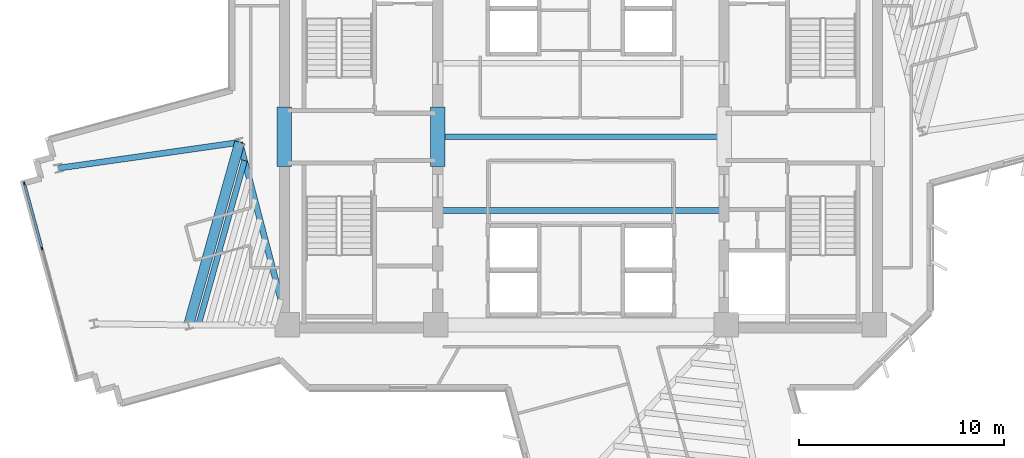
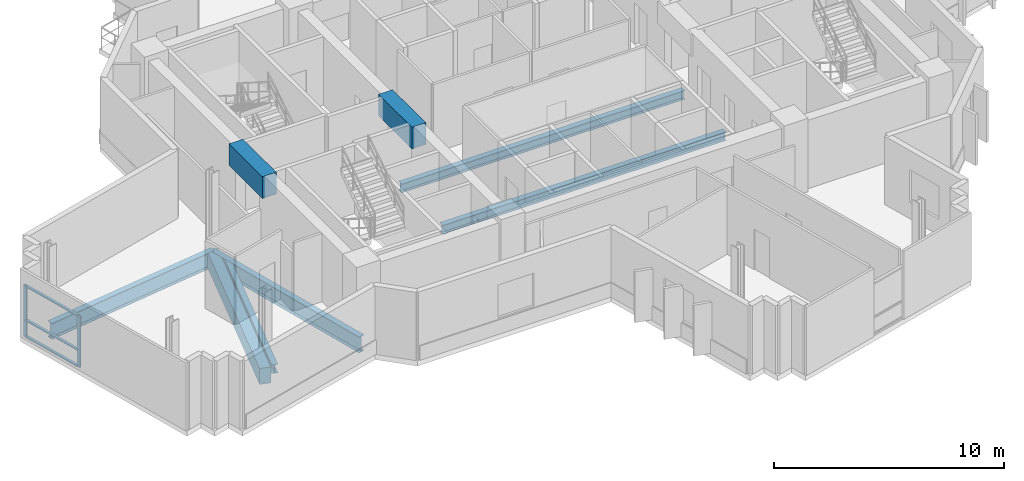
# One storey, part 4 of 15: 8 beams, 5 members, 1 element without a shape of its own.
"""IFC4 building model written with IfcOpenShell, lengths in metres."""

from ifc_helpers import new_model, si_unit, direction, frame, origin, origin_2d, place, context, subcontext, project, spatial, rectangle, i_section, extrude, source, transform, mapped, material, layer, layer_set, material_profile, profile_set, type_object, element, aggregate, save


model = new_model("IFC4")

# Units and contexts
model_context = context("Model", 3, precision=1e-05, world=origin(), true_north=direction((0.0, 1.0)))
body_context = subcontext(model_context, "Body", "Model", "MODEL_VIEW")
ifc_project = project(units=[si_unit("LENGTHUNIT", "METRE"), si_unit("AREAUNIT", "SQUARE_METRE"), si_unit("VOLUMEUNIT", "CUBIC_METRE"), si_unit("PLANEANGLEUNIT", "RADIAN"), si_unit("MASSUNIT", "GRAM", prefix="KILO")], contexts=[model_context])

# Site, building, storey
site_placement = place(None, origin())
site = spatial("IfcSite", under=ifc_project, at=site_placement, CompositionType="ELEMENT")
building_placement = place(site_placement, origin())
building = spatial("IfcBuilding", under=site, at=building_placement, Name="Zahravan Cultural Tower", CompositionType="ELEMENT")
storey_placement = place(building_placement, frame((0.0, 0.0, 198.0)))
storey = spatial("IfcBuildingStorey", under=building, at=storey_placement, Name="L46", CompositionType="ELEMENT", Elevation=198.0)

# Beams
ifc_material_1 = material(Name="Concrete C50/60", Category="concrete")
ifc_material_profile_1 = material_profile(ifc_material_1, rectangle(XDim=0.699951171875, YDim=1.14990234375, at=origin_2d()), Name="RC700X1150")
ifc_profile_set_1 = profile_set([ifc_material_profile_1], Name="Concrete C50/60")
beam_type_1 = type_object("IfcBeamType", Name="BM-LN-RC700X1150", PredefinedType="LINTEL", material=ifc_profile_set_1)
shared_shape_1 = source(origin(), body_context, "Body", "SweptSolid", [
    extrude(rectangle(XDim=0.699951171875, YDim=1.14990234375, at=origin_2d()), origin(), (0.0, 0.0, 1.0), 2.89990234375),
])
for number, where, z_axis, x_axis, name in (
    (1, (21.5, 25.550048828125, 3.044921875), (0.0, 1.0, 0.0), (-1.0, 0.0, 0.0), "L46 Beam LN-L46-PWW"),
    (2, (29.0, 25.550048828125, 3.044921875), (0.0, 1.0, 0.0), (-1.0, 0.0, 0.0), "L46 Beam LN-L46-PWE"),
):
    element("IfcBeam", number, at=place(storey_placement, frame(where, z_axis=z_axis, x_axis=x_axis)), inside=storey, type_object=beam_type_1, Name=name, PredefinedType="LINTEL", context=body_context, shape_type="MappedRepresentation", body=[
        mapped(shared_shape_1, transform((0.0, 0.0, 0.0), x_axis=(1.0, 0.0, 0.0), y_axis=(0.0, 1.0, 0.0), z_axis=(0.0, 0.0, 1.0), scale=1.0)),
    ])
ifc_material_profile_2 = material_profile(ifc_material_1, rectangle(XDim=0.5, YDim=0.85009765625, at=origin_2d()), Name="RC500X850")
ifc_profile_set_2 = profile_set([ifc_material_profile_2], Name="Concrete C50/60")
beam_type_2 = type_object("IfcBeamType", Name="BM-SP-RC500X850", PredefinedType="SPANDREL", material=ifc_profile_set_2)
shared_shape_2 = source(origin(), body_context, "Body", "SweptSolid", [
    extrude(rectangle(XDim=0.5, YDim=0.85009765625, at=origin_2d()), origin(), (0.0, 0.0, 1.0), 9.2783203125),
])
beam_1_placement = place(storey_placement, frame((19.315673828125, 26.72900390625, -0.705078125), z_axis=(-0.269497187032, -0.963001176625, 0.0), x_axis=(0.963001176625, -0.269497187032, 0.0)))
element("IfcBeam", 3, at=beam_1_placement, inside=storey, type_object=beam_type_2, Name="L46 Beam SP-L46-19", PredefinedType="SPANDREL", context=body_context, shape_type="MappedRepresentation", body=[
    mapped(shared_shape_2, transform((0.0, 0.0, 0.0), x_axis=(1.0, 0.0, 0.0), y_axis=(0.0, 1.0, 0.0), z_axis=(0.0, 0.0, 1.0), scale=1.0)),
])
ifc_material_2 = material(Name="Steel ASTM A992 Grade 50", Category="steel")
ifc_material_profile_3 = material_profile(ifc_material_2, i_section(OverallWidth=0.29296875, OverallDepth=0.845947265625, WebThickness=0.015380859375, FlangeThickness=0.0244140625, FilletRadius=0.02001953125, at=origin_2d()), Name="W33X141")
ifc_profile_set_3 = profile_set([ifc_material_profile_3], Name="Steel ASTM A992 Grade 50")
beam_type_3 = type_object("IfcBeamType", Name="BM-G-W33X141", PredefinedType="BEAM", material=ifc_profile_set_3)
shared_shape_3 = source(origin(), body_context, "Body", "SweptSolid", [
    extrude(i_section(OverallWidth=0.29296875, OverallDepth=0.845947265625, WebThickness=0.015380859375, FlangeThickness=0.0244140625, FilletRadius=0.02001953125, at=origin_2d()), origin(), (0.0, 0.0, 1.0), 9.22900390625),
])
beam_2_placement = place(storey_placement, frame((21.64990234375, 17.800048828125, -0.702880859375), z_axis=(-0.252922608408, 0.967486513682, 0.0), x_axis=(-0.967486513682, -0.252922608408, 0.0)))
element("IfcBeam", 4, at=beam_2_placement, inside=storey, type_object=beam_type_3, Name="L46 Beam BG-L46-07", PredefinedType="BEAM", context=body_context, shape_type="MappedRepresentation", body=[
    mapped(shared_shape_3, transform((0.0, 0.0, 0.0), x_axis=(1.0, 0.0, 0.0), y_axis=(0.0, 1.0, 0.0), z_axis=(0.0, 0.0, 1.0), scale=1.0)),
])
shared_shape_4 = source(origin(), body_context, "Body", "SweptSolid", [
    extrude(i_section(OverallWidth=0.29296875, OverallDepth=0.845947265625, WebThickness=0.015380859375, FlangeThickness=0.0244140625, FilletRadius=0.02001953125, at=origin_2d()), origin(), (0.0, 0.0, 1.0), 8.9580078125),
])
beam_3_placement = place(storey_placement, frame((19.315673828125, 26.72900390625, -0.702880859375), z_axis=(-0.990000122431, -0.141066500584, 0.0), x_axis=(0.141066500584, -0.990000122431, 0.0)))
element("IfcBeam", 5, at=beam_3_placement, inside=storey, type_object=beam_type_3, Name="L46 Beam BG-L46-17", PredefinedType="BEAM", context=body_context, shape_type="MappedRepresentation", body=[
    mapped(shared_shape_4, transform((0.0, 0.0, 0.0), x_axis=(1.0, 0.0, 0.0), y_axis=(0.0, 1.0, 0.0), z_axis=(0.0, 0.0, 1.0), scale=1.0)),
])
ifc_material_profile_4 = material_profile(ifc_material_2, i_section(OverallWidth=0.280029296875, OverallDepth=0.462890625, WebThickness=0.0107421875, FlangeThickness=0.017333984375, FilletRadius=0.012939453125, at=origin_2d()), Name="W18X76")
ifc_profile_set_4 = profile_set([ifc_material_profile_4], Name="Steel ASTM A992 Grade 50")
beam_type_4 = type_object("IfcBeamType", Name="BM-J-W18X76", PredefinedType="JOIST", material=ifc_profile_set_4)
shared_shape_5 = source(origin(), body_context, "Body", "SweptSolid", [
    extrude(i_section(OverallWidth=0.280029296875, OverallDepth=0.462890625, WebThickness=0.0107421875, FlangeThickness=0.017333984375, FilletRadius=0.012939453125, at=origin_2d()), origin(), (0.0, 0.0, 1.0), 14.2001953125),
])
for number, where, z_axis, x_axis, name in (
    (6, (28.89990234375, 23.39990234375, -0.511474609375), (1.0, 0.0, 0.0), (0.0, 1.0, 0.0), "L46 Beam BJ-L46-23"),
    (7, (28.89990234375, 27.0, -0.511474609375), (1.0, 0.0, 0.0), (0.0, 1.0, 0.0), "L46 Beam BJ-L46-24"),
):
    element("IfcBeam", number, at=place(storey_placement, frame(where, z_axis=z_axis, x_axis=x_axis)), inside=storey, type_object=beam_type_4, Name=name, PredefinedType="JOIST", context=body_context, shape_type="MappedRepresentation", body=[
        mapped(shared_shape_5, transform((0.0, 0.0, 0.0), x_axis=(1.0, 0.0, 0.0), y_axis=(0.0, 1.0, 0.0), z_axis=(0.0, 0.0, 1.0), scale=1.0)),
    ])
shared_shape_6 = source(origin(), body_context, "Body", "SweptSolid", [
    extrude(i_section(OverallWidth=0.280029296875, OverallDepth=0.462890625, WebThickness=0.0107421875, FlangeThickness=0.017333984375, FilletRadius=0.012939453125, at=origin_2d()), origin(), (0.0, 0.0, 1.0), 8.350830078125),
])
beam_4_placement = place(storey_placement, frame((19.549072265625, 25.836181640625, -0.511474609375), z_axis=(-0.269496539555, -0.963001357822, 0.0), x_axis=(0.963001357822, -0.269496539555, 0.0)))
element("IfcBeam", 8, at=beam_4_placement, inside=storey, type_object=beam_type_4, Name="L46 Beam BJ-L46-33", PredefinedType="JOIST", context=body_context, shape_type="MappedRepresentation", body=[
    mapped(shared_shape_6, transform((0.0, 0.0, 0.0), x_axis=(1.0, 0.0, 0.0), y_axis=(0.0, 1.0, 0.0), z_axis=(0.0, 0.0, 1.0), scale=1.0)),
])

# Curtain wall, members
ifc_material_3 = material(Name="Anodised bronze-aluminium mullion", Category="aluminium")
ifc_layer = layer(ifc_material_3, 0.1650390625)
ifc_layer_set = layer_set([ifc_layer], Name="Anodised bronze-aluminium mullion")
curtain_wall_type = type_object("IfcCurtainWallType", Name="CW-SYS-4", PredefinedType="USERDEFINED", material=ifc_layer_set)
curtain_wall_placement = place(storey_placement, origin())
curtain_wall = element("IfcCurtainWall", 9, at=curtain_wall_placement, inside=storey, type_object=curtain_wall_type, Name="L46 Recessed Curtain Wall CW-4.2", ObjectType="RECESSED GLAZING", PredefinedType="USERDEFINED")
ifc_material_profile_5 = material_profile(ifc_material_3, rectangle(XDim=0.06494140625, YDim=0.1650390625, at=origin_2d()), Name="AL-M65X165")
ifc_profile_set_5 = profile_set([ifc_material_profile_5], Name="Anodised bronze-aluminium mullion")
member_type_1 = type_object("IfcMemberType", Name="CWM-CW-4", PredefinedType="MULLION", material=ifc_profile_set_5)
shared_shape_7 = source(origin(), body_context, "Body", "SweptSolid", [
    extrude(rectangle(XDim=0.06494140625, YDim=0.1650390625, at=origin_2d()), origin(), (0.0, 0.0, 1.0), 2.739990234375),
])
member_1_placement = place(storey_placement, frame((9.646240234375, 21.552978515625, 0.0), z_axis=(0.0, 0.0, 1.0), x_axis=(-0.96501717126, -0.262186687636, 0.0)))
member_1 = element("IfcMember", 10, at=member_1_placement, type_object=member_type_1, Name="CW-4 mullion 3", PredefinedType="MULLION", context=body_context, shape_type="MappedRepresentation", body=[
    mapped(shared_shape_7, transform((0.0, 0.0, 0.0), x_axis=(1.0, 0.0, 0.0), y_axis=(0.0, 1.0, 0.0), z_axis=(0.0, 0.0, 1.0), scale=1.0)),
])
member_2_placement = place(storey_placement, frame((8.787841796875, 24.712646484375, 0.0), z_axis=(0.0, 0.0, 1.0), x_axis=(-0.96501717126, -0.262186687636, 0.0)))
member_2 = element("IfcMember", 11, at=member_2_placement, type_object=member_type_1, Name="CW-4 mullion 4", PredefinedType="MULLION", context=body_context, shape_type="MappedRepresentation", body=[
    mapped(shared_shape_7, transform((0.0, 0.0, 0.0), x_axis=(1.0, 0.0, 0.0), y_axis=(0.0, 1.0, 0.0), z_axis=(0.0, 0.0, 1.0), scale=1.0)),
])
ifc_material_profile_6 = material_profile(ifc_material_3, rectangle(XDim=0.1298828125, YDim=0.06494140625, at=origin_2d()), Name="AL-T65X130")
ifc_profile_set_6 = profile_set([ifc_material_profile_6], Name="Anodised bronze-aluminium mullion")
member_type_2 = type_object("IfcMemberType", Name="CWT-CW-4", PredefinedType="USERDEFINED", material=ifc_profile_set_6)
shared_shape_8 = source(origin(), body_context, "Body", "SweptSolid", [
    extrude(rectangle(XDim=0.1298828125, YDim=0.06494140625, at=origin_2d()), origin(), (0.0, 0.0, 1.0), 3.209228515625),
])
member_3_placement = place(storey_placement, frame((9.6376953125, 21.58447265625, 0.032470703125), z_axis=(-0.262228977575, 0.96500568046, 0.0), x_axis=(-0.96500568046, -0.262228977575, 0.0)))
member_3 = element("IfcMember", 12, at=member_3_placement, type_object=member_type_2, Name="CW-4 transom 3.1", ObjectType="TRANSOM", PredefinedType="USERDEFINED", context=body_context, shape_type="MappedRepresentation", body=[
    mapped(shared_shape_8, transform((0.0, 0.0, 0.0), x_axis=(1.0, 0.0, 0.0), y_axis=(0.0, 1.0, 0.0), z_axis=(0.0, 0.0, 1.0), scale=1.0)),
])
member_4_placement = place(storey_placement, frame((9.6376953125, 21.58447265625, 0.89990234375), z_axis=(-0.262228977575, 0.96500568046, 0.0), x_axis=(-0.96500568046, -0.262228977575, 0.0)))
member_4 = element("IfcMember", 13, at=member_4_placement, type_object=member_type_2, Name="CW-4 transom 3.2", ObjectType="TRANSOM", PredefinedType="USERDEFINED", context=body_context, shape_type="MappedRepresentation", body=[
    mapped(shared_shape_8, transform((0.0, 0.0, 0.0), x_axis=(1.0, 0.0, 0.0), y_axis=(0.0, 1.0, 0.0), z_axis=(0.0, 0.0, 1.0), scale=1.0)),
])
member_5_placement = place(storey_placement, frame((9.6376953125, 21.58447265625, 2.70751953125), z_axis=(-0.262228977575, 0.96500568046, 0.0), x_axis=(-0.96500568046, -0.262228977575, 0.0)))
member_5 = element("IfcMember", 14, at=member_5_placement, type_object=member_type_2, Name="CW-4 transom 3.3", ObjectType="TRANSOM", PredefinedType="USERDEFINED", context=body_context, shape_type="MappedRepresentation", body=[
    mapped(shared_shape_8, transform((0.0, 0.0, 0.0), x_axis=(1.0, 0.0, 0.0), y_axis=(0.0, 1.0, 0.0), z_axis=(0.0, 0.0, 1.0), scale=1.0)),
])
aggregate(curtain_wall, [member_1, member_2, member_3, member_4, member_5])

save(model, "model.ifc")
